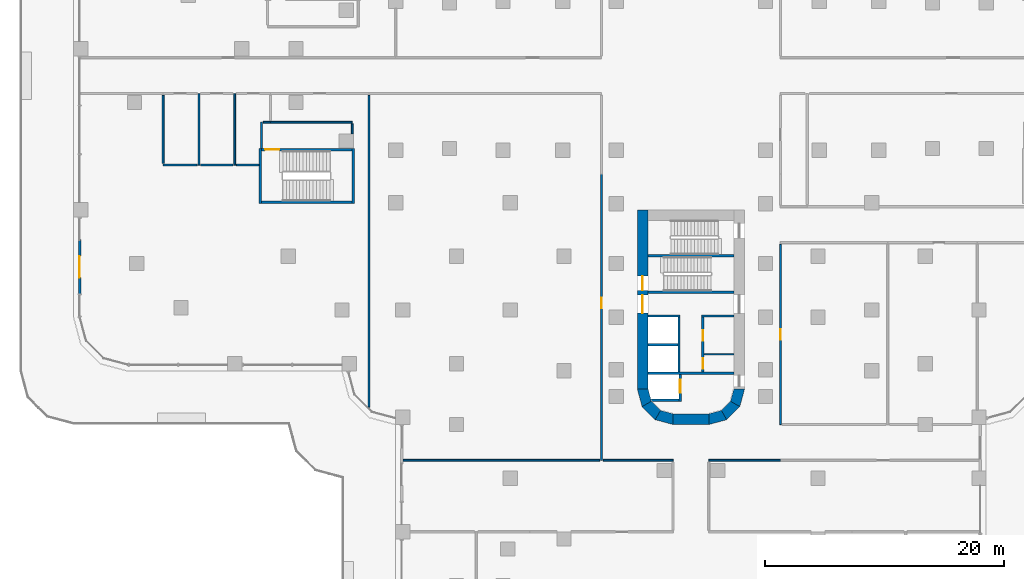
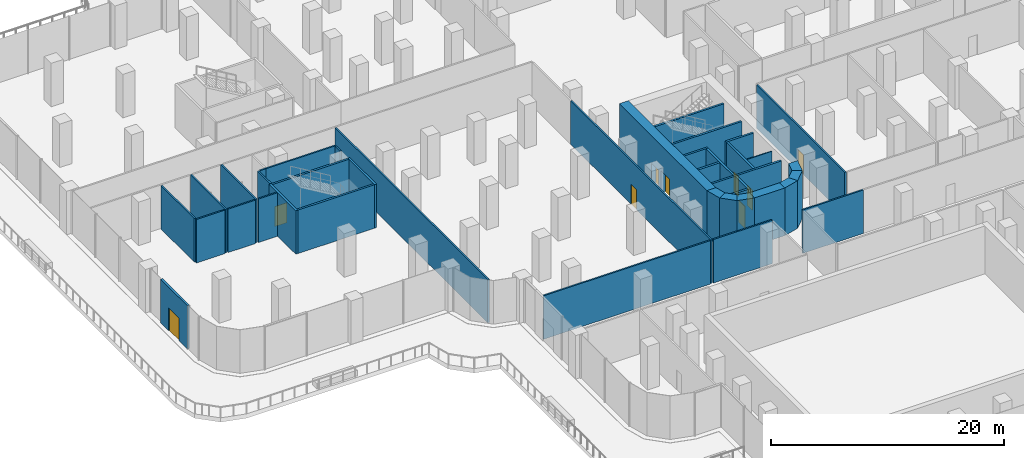
# One storey, part 17 of 30: 40 walls, 9 doors, 9 openings.
"""IFC4 building model written with IfcOpenShell, lengths in metres."""

from ifc_helpers import new_model, si_unit, direction, frame, frame_2d, origin, place, context, subcontext, project, spatial, polyline, rectangle, outline, extrude, material, layer, layer_set, type_object, element, fill, save


model = new_model("IFC4")

# Units and contexts
model_context = context("Model", 3, precision=1e-05, world=origin(), true_north=direction((0.0, 1.0)))
body_context = subcontext(model_context, "Body", "Model", "MODEL_VIEW")
ifc_project = project(units=[si_unit("LENGTHUNIT", "METRE"), si_unit("AREAUNIT", "SQUARE_METRE"), si_unit("VOLUMEUNIT", "CUBIC_METRE"), si_unit("PLANEANGLEUNIT", "RADIAN"), si_unit("MASSUNIT", "GRAM", prefix="KILO")], contexts=[model_context])

# Site, building, storey
site_placement = place(None, origin())
site = spatial("IfcSite", under=ifc_project, at=site_placement, CompositionType="ELEMENT")
building_placement = place(site_placement, origin())
building = spatial("IfcBuilding", under=site, at=building_placement, Name="Zarbagh Exchange Tower", CompositionType="ELEMENT")
storey_placement = place(building_placement, frame((0.0, 0.0, 7.0)))
storey = spatial("IfcBuildingStorey", under=building, at=storey_placement, Name="L01", CompositionType="ELEMENT", Elevation=7.0)

# Walls
ifc_material_1 = material(Name="Plasterboard partition")
ifc_layer_1 = layer(ifc_material_1, 0.14990234375)
ifc_layer_set_1 = layer_set([ifc_layer_1], Name="Board partition 150")
wall_type_1 = type_object("IfcWallType", Name="Board partition 150", PredefinedType="PARTITIONING", material=ifc_layer_set_1)
wall_1_placement = place(storey_placement, frame((-36.0, -6.10009765625, 0.0), z_axis=(0.0, 0.0, 1.0), x_axis=(0.0, 1.0, 0.0)))
element("IfcWall", 1, at=wall_1_placement, inside=storey, type_object=wall_type_1, Name="WL-L01-W007", PredefinedType="PARTITIONING", context=body_context, shape_type="SweptSolid", body=[
    extrude(rectangle(XDim=2.2001953125, YDim=0.14990234375, at=frame_2d((1.10009765625, 0.0))), origin(), (0.0, 0.0, 1.0), 4.550048828125),
])
wall_2_placement = place(storey_placement, frame((-35.85009765625, -3.89990234375, 0.0), z_axis=(0.0, 0.0, 1.0), x_axis=(1.0, 0.0, 0.0)))
element("IfcWall", 2, at=wall_2_placement, inside=storey, type_object=wall_type_1, Name="WL-L01-W008", PredefinedType="PARTITIONING", context=body_context, shape_type="SweptSolid", body=[
    extrude(rectangle(XDim=0.60009765625, YDim=0.14990234375, at=frame_2d((0.300048828125, 0.0))), origin(), (0.0, 0.0, 1.0), 4.550048828125),
])
wall_3_placement = place(storey_placement, frame((-35.25, -3.89990234375, 0.0), z_axis=(0.0, 0.0, 1.0), x_axis=(1.0, 0.0, 0.0)))
element("IfcWall", 3, at=wall_3_placement, inside=storey, type_object=wall_type_1, Name="WL-L01-W009", PredefinedType="PARTITIONING", context=body_context, shape_type="SweptSolid", body=[
    extrude(rectangle(XDim=6.85009765625, YDim=0.14990234375, at=frame_2d((3.425048828125, 0.0))), origin(), (0.0, 0.0, 1.0), 4.550048828125),
])
wall_4_placement = place(storey_placement, frame((-28.39990234375, -4.050048828125, 0.0), z_axis=(0.0, 0.0, 1.0), x_axis=(0.0, -1.0, 0.0)))
element("IfcWall", 4, at=wall_4_placement, inside=storey, type_object=wall_type_1, Name="WL-L01-W010", PredefinedType="PARTITIONING", context=body_context, shape_type="SweptSolid", body=[
    extrude(rectangle(XDim=0.824951171875, YDim=0.14990234375, at=frame_2d((0.41259765625, 0.0))), origin(), (0.0, 0.0, 1.0), 4.550048828125),
])

# Wall, opening, door
wall_5_placement = place(storey_placement, frame((7.5, -14.14990234375, 0.0), z_axis=(0.0, 0.0, 1.0), x_axis=(0.0, -1.0, 0.0)))
wall_5 = element("IfcWall", 5, at=wall_5_placement, inside=storey, type_object=wall_type_1, Name="WL-L01-W046", PredefinedType="PARTITIONING", context=body_context, shape_type="SweptSolid", body=[
    extrude(rectangle(XDim=15.10009765625, YDim=0.14990234375, at=frame_2d((7.550048828125, 0.0))), origin(), (0.0, 0.0, 1.0), 4.550048828125),
])
opening_1_placement = place(wall_5_placement, frame((7.10009765625, 0.0, 0.0)))
opening_1 = element("IfcOpeningElement", 6, at=opening_1_placement, cuts=wall_5, Name="Opening D09", PredefinedType="OPENING", context=body_context, shape_type="SweptSolid", body=[
    extrude(rectangle(XDim=0.89990234375, YDim=2.10009765625, at=frame_2d((0.449951171875, 1.050048828125))), frame((0.0, 0.0849609375, 0.0), z_axis=(0.0, -1.0, 0.0), x_axis=(1.0, 0.0, 0.0)), (0.0, 0.0, 1.0), 0.169921875),
])
ifc_material_2 = material(Name="Timber door leaf", Category="wood")
door_type_1 = type_object("IfcDoorType", Name="Door single 900x2100", OperationType="SINGLE_SWING_LEFT", PredefinedType="DOOR", material=ifc_material_2)
door_1_placement = place(opening_1_placement, origin())
door_1 = element("IfcDoor", 7, at=door_1_placement, inside=storey, type_object=door_type_1, Name="D09", OperationType="SINGLE_SWING_LEFT", OverallHeight=2.10009765625, OverallWidth=0.89990234375, PredefinedType="DOOR", context=body_context, shape_type="SweptSolid", body=[
    extrude(rectangle(XDim=0.89990234375, YDim=2.10009765625, at=frame_2d((0.449951171875, 1.050048828125))), frame((0.0, 0.02490234375, 0.0), z_axis=(0.0, -1.0, 0.0), x_axis=(1.0, 0.0, 0.0)), (0.0, 0.0, 1.0), 0.050048828125),
])
fill(opening_1, door_1)

# Walls
wall_6_placement = place(storey_placement, frame((-41.25, -1.5, 0.0), z_axis=(0.0, 0.0, 1.0), x_axis=(0.0, -1.0, 0.0)))
element("IfcWall", 8, at=wall_6_placement, inside=storey, type_object=wall_type_1, Name="WL-L01-W056", PredefinedType="PARTITIONING", context=body_context, shape_type="SweptSolid", body=[
    extrude(rectangle(XDim=6.0, YDim=0.14990234375, at=frame_2d((3.0, 0.0))), origin(), (0.0, 0.0, 1.0), 4.550048828125),
])
wall_7_placement = place(storey_placement, frame((-41.39990234375, -7.5, 0.0), z_axis=(0.0, 0.0, 1.0), x_axis=(-1.0, 0.0, 0.0)))
element("IfcWall", 9, at=wall_7_placement, inside=storey, type_object=wall_type_1, Name="WL-L01-W058", PredefinedType="PARTITIONING", context=body_context, shape_type="SweptSolid", body=[
    extrude(rectangle(XDim=2.85009765625, YDim=0.14990234375, at=frame_2d((1.425048828125, 0.0))), origin(), (0.0, 0.0, 1.0), 4.550048828125),
])
wall_8_placement = place(storey_placement, frame((-44.25, -7.35009765625, 0.0), z_axis=(0.0, 0.0, 1.0), x_axis=(0.0, 1.0, 0.0)))
element("IfcWall", 10, at=wall_8_placement, inside=storey, type_object=wall_type_1, Name="WL-L01-W059", PredefinedType="PARTITIONING", context=body_context, shape_type="SweptSolid", body=[
    extrude(rectangle(XDim=5.7001953125, YDim=0.14990234375, at=frame_2d((2.85009765625, 0.0))), origin(), (0.0, 0.0, 1.0), 4.550048828125),
])
wall_9_placement = place(storey_placement, frame((-38.25, -1.5, 0.0), z_axis=(0.0, 0.0, 1.0), x_axis=(0.0, -1.0, 0.0)))
element("IfcWall", 11, at=wall_9_placement, inside=storey, type_object=wall_type_1, Name="WL-L01-W060", PredefinedType="PARTITIONING", context=body_context, shape_type="SweptSolid", body=[
    extrude(rectangle(XDim=6.0, YDim=0.14990234375, at=frame_2d((3.0, 0.0))), origin(), (0.0, 0.0, 1.0), 4.550048828125),
])
wall_10_placement = place(storey_placement, frame((-38.39990234375, -7.5, 0.0), z_axis=(0.0, 0.0, 1.0), x_axis=(-1.0, 0.0, 0.0)))
element("IfcWall", 12, at=wall_10_placement, inside=storey, type_object=wall_type_1, Name="WL-L01-W062", PredefinedType="PARTITIONING", context=body_context, shape_type="SweptSolid", body=[
    extrude(rectangle(XDim=2.7001953125, YDim=0.14990234375, at=frame_2d((1.35009765625, 0.0))), origin(), (0.0, 0.0, 1.0), 4.550048828125),
])
wall_11_placement = place(storey_placement, frame((-36.199951171875, -7.5, 0.0), z_axis=(0.0, 0.0, 1.0), x_axis=(-1.0, 0.0, 0.0)))
element("IfcWall", 13, at=wall_11_placement, inside=storey, type_object=wall_type_1, Name="WL-L01-W064", PredefinedType="PARTITIONING", context=body_context, shape_type="SweptSolid", body=[
    extrude(rectangle(XDim=1.900146484375, YDim=0.14990234375, at=frame_2d((0.9501953125, 0.0))), origin(), (0.0, 0.0, 1.0), 4.550048828125),
])
wall_12_placement = place(storey_placement, frame((7.5, -32.25, 0.0), z_axis=(0.0, 0.0, 1.0), x_axis=(-1.0, 0.0, 0.0)))
element("IfcWall", 14, at=wall_12_placement, inside=storey, type_object=wall_type_1, Name="WL-L01-W068", PredefinedType="PARTITIONING", context=body_context, shape_type="SweptSolid", body=[
    extrude(rectangle(XDim=6.0, YDim=0.14990234375, at=frame_2d((3.0, 0.0))), origin(), (0.0, 0.0, 1.0), 4.550048828125),
])

# Wall, opening, door
wall_13_placement = place(storey_placement, frame((-7.5, -32.25, 0.0), z_axis=(0.0, 0.0, 1.0), x_axis=(0.0, 1.0, 0.0)))
wall_13 = element("IfcWall", 15, at=wall_13_placement, inside=storey, type_object=wall_type_1, Name="WL-L01-W069", PredefinedType="PARTITIONING", context=body_context, shape_type="SweptSolid", body=[
    extrude(rectangle(XDim=24.0, YDim=0.14990234375, at=frame_2d((12.0, 0.0))), origin(), (0.0, 0.0, 1.0), 4.550048828125),
])
opening_2_placement = place(wall_13_placement, frame((12.75, 0.0, 0.0)))
opening_2 = element("IfcOpeningElement", 16, at=opening_2_placement, cuts=wall_13, Name="Opening D15", PredefinedType="OPENING", context=body_context, shape_type="SweptSolid", body=[
    extrude(rectangle(XDim=0.89990234375, YDim=2.10009765625, at=frame_2d((0.449951171875, 1.050048828125))), frame((0.0, 0.0849609375, 0.0), z_axis=(0.0, -1.0, 0.0), x_axis=(1.0, 0.0, 0.0)), (0.0, 0.0, 1.0), 0.169921875),
])
door_2_placement = place(opening_2_placement, origin())
door_2 = element("IfcDoor", 17, at=door_2_placement, inside=storey, type_object=door_type_1, Name="D15", OperationType="SINGLE_SWING_LEFT", OverallHeight=2.10009765625, OverallWidth=0.89990234375, PredefinedType="DOOR", context=body_context, shape_type="SweptSolid", body=[
    extrude(rectangle(XDim=0.89990234375, YDim=2.10009765625, at=frame_2d((0.449951171875, 1.050048828125))), frame((0.0, 0.02490234375, 0.0), z_axis=(0.0, -1.0, 0.0), x_axis=(1.0, 0.0, 0.0)), (0.0, 0.0, 1.0), 0.050048828125),
])
fill(opening_2, door_2)

# Walls
wall_14_placement = place(storey_placement, frame((-1.5, -32.25, 0.0), z_axis=(0.0, 0.0, 1.0), x_axis=(-1.0, 0.0, 0.0)))
element("IfcWall", 18, at=wall_14_placement, inside=storey, type_object=wall_type_1, Name="WL-L01-W070", PredefinedType="PARTITIONING", context=body_context, shape_type="SweptSolid", body=[
    extrude(rectangle(XDim=5.85009765625, YDim=0.14990234375, at=frame_2d((2.925048828125, 0.0))), origin(), (0.0, 0.0, 1.0), 4.550048828125),
])
wall_15_placement = place(storey_placement, frame((-27.0, -27.797119140625, 0.0), z_axis=(0.0, 0.0, 1.0), x_axis=(0.0, 1.0, 0.0)))
element("IfcWall", 19, at=wall_15_placement, inside=storey, type_object=wall_type_1, Name="WL-L01-W097", PredefinedType="PARTITIONING", context=body_context, shape_type="SweptSolid", body=[
    extrude(rectangle(XDim=26.147216796875, YDim=0.14990234375, at=frame_2d((13.07373046875, 0.0))), origin(), (0.0, 0.0, 1.0), 4.550048828125),
])
wall_16_placement = place(storey_placement, frame((-7.64990234375, -32.25, 0.0), z_axis=(0.0, 0.0, 1.0), x_axis=(-1.0, 0.0, 0.0)))
element("IfcWall", 20, at=wall_16_placement, inside=storey, type_object=wall_type_1, Name="WL-L01-W098", PredefinedType="PARTITIONING", context=body_context, shape_type="SweptSolid", body=[
    extrude(rectangle(XDim=16.5, YDim=0.14990234375, at=frame_2d((8.25, 0.0))), origin(), (0.0, 0.0, 1.0), 4.550048828125),
])
ifc_material_3 = material(Name="Dense blockwork", Category="masonry")
ifc_layer_2 = layer(ifc_material_3, 0.10009765625)
ifc_layer_set_2 = layer_set([ifc_layer_2], Name="Core partition 100 mm blockwork")
wall_type_2 = type_object("IfcWallType", Name="Core partition 100 mm blockwork", PredefinedType="PARTITIONING", material=ifc_layer_set_2)
wall_17_placement = place(storey_placement, frame((3.60009765625, -23.35009765625, 0.0), z_axis=(0.0, 0.0, 1.0), x_axis=(-1.0, 0.0, 0.0)))
element("IfcWall", 21, at=wall_17_placement, inside=storey, type_object=wall_type_2, Name="South core partition wall CUT-W-500", PredefinedType="PARTITIONING", context=body_context, shape_type="SweptSolid", body=[
    extrude(rectangle(XDim=2.5, YDim=0.10009765625, at=frame_2d((1.25, 0.0))), origin(), (0.0, 0.0, 1.0), 4.550048828125),
])
ifc_material_4 = material(Name="Concrete C60/75", Category="concrete")
ifc_layer_3 = layer(ifc_material_4, 0.89990234375)
ifc_layer_set_3 = layer_set([ifc_layer_3], Name="RC core corner wall 900 C60/75")
wall_type_3 = type_object("IfcWallType", Name="RC core corner wall 900 C60/75", PredefinedType="SHEAR", material=ifc_layer_set_3)
wall_18_placement = place(storey_placement, origin())
element("IfcWall", 22, at=wall_18_placement, inside=storey, type_object=wall_type_3, Name="CW2 core S corner W", PredefinedType="SHEAR", context=body_context, shape_type="SweptSolid", body=[
    extrude(outline(polyline([(-4.5, -26.25), (-4.09814453125, -27.75), (-3.318603515625, -27.300048828125), (-3.60009765625, -26.25), (-4.5, -26.25)])), origin(), (0.0, 0.0, 1.0), 5.0),
])
wall_19_placement = place(storey_placement, origin())
element("IfcWall", 23, at=wall_19_placement, inside=storey, type_object=wall_type_3, Name="CW2 core S corner W", PredefinedType="SHEAR", context=body_context, shape_type="SweptSolid", body=[
    extrude(outline(polyline([(-4.09814453125, -27.75), (-3.0, -28.84814453125), (-2.550048828125, -28.068603515625), (-3.318603515625, -27.300048828125), (-4.09814453125, -27.75)])), origin(), (0.0, 0.0, 1.0), 5.0),
])
wall_20_placement = place(storey_placement, origin())
element("IfcWall", 24, at=wall_20_placement, inside=storey, type_object=wall_type_3, Name="CW2 core S corner W", PredefinedType="SHEAR", context=body_context, shape_type="SweptSolid", body=[
    extrude(outline(polyline([(-3.0, -28.84814453125), (-1.5, -29.25), (-1.5, -28.35009765625), (-2.550048828125, -28.068603515625), (-3.0, -28.84814453125)])), origin(), (0.0, 0.0, 1.0), 5.0),
])
wall_21_placement = place(storey_placement, origin())
element("IfcWall", 25, at=wall_21_placement, inside=storey, type_object=wall_type_3, Name="CW2 core S corner E", PredefinedType="SHEAR", context=body_context, shape_type="SweptSolid", body=[
    extrude(outline(polyline([(4.5, -26.25), (4.09814453125, -27.75), (3.318603515625, -27.300048828125), (3.60009765625, -26.25), (4.5, -26.25)])), origin(), (0.0, 0.0, 1.0), 5.0),
])
wall_22_placement = place(storey_placement, origin())
element("IfcWall", 26, at=wall_22_placement, inside=storey, type_object=wall_type_3, Name="CW2 core S corner E", PredefinedType="SHEAR", context=body_context, shape_type="SweptSolid", body=[
    extrude(outline(polyline([(4.09814453125, -27.75), (3.0, -28.84814453125), (2.550048828125, -28.068603515625), (3.318603515625, -27.300048828125), (4.09814453125, -27.75)])), origin(), (0.0, 0.0, 1.0), 5.0),
])
wall_23_placement = place(storey_placement, origin())
element("IfcWall", 27, at=wall_23_placement, inside=storey, type_object=wall_type_3, Name="CW2 core S corner E", PredefinedType="SHEAR", context=body_context, shape_type="SweptSolid", body=[
    extrude(outline(polyline([(3.0, -28.84814453125), (1.5, -29.25), (1.5, -28.35009765625), (2.550048828125, -28.068603515625), (3.0, -28.84814453125)])), origin(), (0.0, 0.0, 1.0), 5.0),
])

# Wall, openings, doors
ifc_layer_4 = layer(ifc_material_4, 0.89990234375)
ifc_layer_set_4 = layer_set([ifc_layer_4], Name="RC core wall 900 C60/75")
wall_type_4 = type_object("IfcWallType", Name="RC core wall 900 C60/75", PredefinedType="SHEAR", material=ifc_layer_set_4)
wall_24_placement = place(storey_placement, frame((-4.050048828125, -11.25, 0.0), z_axis=(0.0, 0.0, 1.0), x_axis=(0.0, -1.0, 0.0)))
wall_24 = element("IfcWall", 28, at=wall_24_placement, inside=storey, type_object=wall_type_4, Name="CW1 core S W", PredefinedType="SHEAR", context=body_context, shape_type="SweptSolid", body=[
    extrude(rectangle(XDim=15.0, YDim=0.89990234375, at=frame_2d((7.5, 0.0))), origin(), (0.0, 0.0, 1.0), 5.0),
])
opening_3_placement = place(wall_24_placement, frame((7.14990234375, 0.0, 0.0)))
opening_3 = element("IfcOpeningElement", 29, at=opening_3_placement, cuts=wall_24, Name="Opening CD1-1500", PredefinedType="OPENING", context=body_context, shape_type="SweptSolid", body=[
    extrude(rectangle(XDim=1.5, YDim=2.300048828125, at=frame_2d((0.75, 1.14990234375))), frame((0.0, 0.4599609375, 0.0), z_axis=(0.0, -1.0, 0.0), x_axis=(1.0, 0.0, 0.0)), (0.0, 0.0, 1.0), 0.919921875),
])
opening_4_placement = place(wall_24_placement, frame((5.550048828125, 0.0, 0.0)))
opening_4 = element("IfcOpeningElement", 30, at=opening_4_placement, cuts=wall_24, Name="Opening SD1-1200", PredefinedType="OPENING", context=body_context, shape_type="SweptSolid", body=[
    extrude(rectangle(XDim=1.199951171875, YDim=2.10009765625, at=frame_2d((0.60009765625, 1.050048828125))), frame((0.0, 0.4599609375, 0.0), z_axis=(0.0, -1.0, 0.0), x_axis=(1.0, 0.0, 0.0)), (0.0, 0.0, 1.0), 0.919921875),
])
ifc_material_5 = material(Name="Steel", Category="steel")
door_type_2 = type_object("IfcDoorType", Name="Exit stair door 1200 x 2100", OperationType="NOTDEFINED", PredefinedType="DOOR", material=ifc_material_5)
door_3_placement = place(opening_4_placement, origin())
door_3 = element("IfcDoor", 31, at=door_3_placement, inside=storey, type_object=door_type_2, Name="South core stair door ST1", OperationType="SINGLE_SWING_RIGHT", OverallHeight=2.10009765625, OverallWidth=1.199951171875, PredefinedType="DOOR", context=body_context, shape_type="SweptSolid", body=[
    extrude(rectangle(XDim=1.199951171875, YDim=2.10009765625, at=frame_2d((0.60009765625, 1.050048828125))), frame((0.0, 0.02490234375, 0.0), z_axis=(0.0, -1.0, 0.0), x_axis=(1.0, 0.0, 0.0)), (0.0, 0.0, 1.0), 0.050048828125),
])
fill(opening_4, door_3)
door_type_3 = type_object("IfcDoorType", Name="Lift lobby double door 1500 x 2300", OperationType="NOTDEFINED", PredefinedType="DOOR", material=ifc_material_5)
door_4_placement = place(opening_3_placement, origin())
door_4 = element("IfcDoor", 32, at=door_4_placement, inside=storey, type_object=door_type_3, Name="South core lift lobby door LOBBY-E", OperationType="DOUBLE_DOOR_SINGLE_SWING", OverallHeight=2.300048828125, OverallWidth=1.5, PredefinedType="DOOR", context=body_context, shape_type="SweptSolid", body=[
    extrude(rectangle(XDim=1.5, YDim=2.300048828125, at=frame_2d((0.75, 1.14990234375))), frame((0.0, 0.02490234375, 0.0), z_axis=(0.0, -1.0, 0.0), x_axis=(1.0, 0.0, 0.0)), (0.0, 0.0, 1.0), 0.050048828125),
])
fill(opening_3, door_4)

# Walls
wall_25_placement = place(storey_placement, frame((-1.5, -28.800048828125, 0.0), z_axis=(0.0, 0.0, 1.0), x_axis=(1.0, 0.0, 0.0)))
element("IfcWall", 33, at=wall_25_placement, inside=storey, type_object=wall_type_4, Name="CW1 core S outer end", PredefinedType="SHEAR", context=body_context, shape_type="SweptSolid", body=[
    extrude(rectangle(XDim=3.0, YDim=0.89990234375, at=frame_2d((1.5, 0.0))), origin(), (0.0, 0.0, 1.0), 5.0),
])
ifc_layer_5 = layer(ifc_material_3, 0.199951171875)
ifc_layer_set_5 = layer_set([ifc_layer_5], Name="Shaft wall 200 mm blockwork")
wall_type_5 = type_object("IfcWallType", Name="Shaft wall 200 mm blockwork", PredefinedType="PARTITIONING", material=ifc_layer_set_5)
wall_26_placement = place(storey_placement, frame((3.60009765625, -20.14990234375, 0.0), z_axis=(0.0, 0.0, 1.0), x_axis=(-1.0, 0.0, 0.0)))
element("IfcWall", 34, at=wall_26_placement, inside=storey, type_object=wall_type_5, Name="South core shaft wall AB-W", PredefinedType="PARTITIONING", context=body_context, shape_type="SweptSolid", body=[
    extrude(rectangle(XDim=2.7001953125, YDim=0.199951171875, at=frame_2d((1.35009765625, 0.0))), origin(), (0.0, 0.0, 1.0), 4.550048828125),
])

# Wall, openings, doors
wall_27_placement = place(storey_placement, frame((1.0, -24.85009765625, 0.0), z_axis=(0.0, 0.0, 1.0), x_axis=(0.0, 1.0, 0.0)))
wall_27 = element("IfcWall", 35, at=wall_27_placement, inside=storey, type_object=wall_type_5, Name="South core shaft wall LW-W", PredefinedType="PARTITIONING", context=body_context, shape_type="SweptSolid", body=[
    extrude(rectangle(XDim=4.60009765625, YDim=0.199951171875, at=frame_2d((2.300048828125, 0.0))), origin(), (0.0, 0.0, 1.0), 4.550048828125),
])
opening_5_placement = place(wall_27_placement, frame((0.27490234375, 0.0, 0.0)))
opening_5 = element("IfcOpeningElement", 36, at=opening_5_placement, cuts=wall_27, Name="Opening CD3-900", PredefinedType="OPENING", context=body_context, shape_type="SweptSolid", body=[
    extrude(rectangle(XDim=0.89990234375, YDim=2.10009765625, at=frame_2d((0.449951171875, 1.050048828125))), frame((0.0, 0.10986328125, 0.0), z_axis=(0.0, -1.0, 0.0), x_axis=(1.0, 0.0, 0.0)), (0.0, 0.0, 1.0), 0.219970703125),
])
opening_6_placement = place(wall_27_placement, frame((2.625, 0.0, 0.0)))
opening_6 = element("IfcOpeningElement", 37, at=opening_6_placement, cuts=wall_27, Name="Opening CD3-900", PredefinedType="OPENING", context=body_context, shape_type="SweptSolid", body=[
    extrude(rectangle(XDim=0.89990234375, YDim=2.10009765625, at=frame_2d((0.449951171875, 1.050048828125))), frame((0.0, 0.10986328125, 0.0), z_axis=(0.0, -1.0, 0.0), x_axis=(1.0, 0.0, 0.0)), (0.0, 0.0, 1.0), 0.219970703125),
])
door_type_4 = type_object("IfcDoorType", Name="Core room door 900 x 2100", OperationType="NOTDEFINED", PredefinedType="DOOR", material=ifc_material_5)
door_5_placement = place(opening_5_placement, origin())
door_5 = element("IfcDoor", 38, at=door_5_placement, inside=storey, type_object=door_type_4, Name="South core Cleaner's store door RD-W-0", OperationType="SINGLE_SWING_RIGHT", OverallHeight=2.10009765625, OverallWidth=0.89990234375, PredefinedType="DOOR", context=body_context, shape_type="SweptSolid", body=[
    extrude(rectangle(XDim=0.89990234375, YDim=2.10009765625, at=frame_2d((0.449951171875, 1.050048828125))), frame((0.0, 0.02490234375, 0.0), z_axis=(0.0, -1.0, 0.0), x_axis=(1.0, 0.0, 0.0)), (0.0, 0.0, 1.0), 0.050048828125),
])
fill(opening_5, door_5)
door_6_placement = place(opening_6_placement, origin())
door_6 = element("IfcDoor", 39, at=door_6_placement, inside=storey, type_object=door_type_4, Name="South core Accessible WC door RD-W-1", OperationType="SINGLE_SWING_LEFT", OverallHeight=2.10009765625, OverallWidth=0.89990234375, PredefinedType="DOOR", context=body_context, shape_type="SweptSolid", body=[
    extrude(rectangle(XDim=0.89990234375, YDim=2.10009765625, at=frame_2d((0.449951171875, 1.050048828125))), frame((0.0, 0.02490234375, 0.0), z_axis=(0.0, -1.0, 0.0), x_axis=(1.0, 0.0, 0.0)), (0.0, 0.0, 1.0), 0.050048828125),
])
fill(opening_6, door_6)

# Walls
wall_28_placement = place(storey_placement, frame((-0.89990234375, -20.14990234375, 0.0), z_axis=(0.0, 0.0, 1.0), x_axis=(-1.0, 0.0, 0.0)))
element("IfcWall", 40, at=wall_28_placement, inside=storey, type_object=wall_type_5, Name="South core shaft wall AB-E", PredefinedType="PARTITIONING", context=body_context, shape_type="SweptSolid", body=[
    extrude(rectangle(XDim=2.7001953125, YDim=0.199951171875, at=frame_2d((1.35009765625, 0.0))), origin(), (0.0, 0.0, 1.0), 4.550048828125),
])
wall_29_placement = place(storey_placement, frame((-1.0, -24.85009765625, 0.0), z_axis=(0.0, 0.0, 1.0), x_axis=(0.0, 1.0, 0.0)))
element("IfcWall", 41, at=wall_29_placement, inside=storey, type_object=wall_type_5, Name="South core shaft wall LW-E", PredefinedType="PARTITIONING", context=body_context, shape_type="SweptSolid", body=[
    extrude(rectangle(XDim=4.60009765625, YDim=0.199951171875, at=frame_2d((2.300048828125, 0.0))), origin(), (0.0, 0.0, 1.0), 4.550048828125),
])
wall_30_placement = place(storey_placement, frame((-1.10009765625, -22.550048828125, 0.0), z_axis=(0.0, 0.0, 1.0), x_axis=(-1.0, 0.0, 0.0)))
element("IfcWall", 42, at=wall_30_placement, inside=storey, type_object=wall_type_5, Name="South core shaft wall TR-E", PredefinedType="PARTITIONING", context=body_context, shape_type="SweptSolid", body=[
    extrude(rectangle(XDim=2.5, YDim=0.199951171875, at=frame_2d((1.25, 0.0))), origin(), (0.0, 0.0, 1.0), 4.550048828125),
])
ifc_material_6 = material(Name="Concrete C40/50", Category="concrete")
ifc_layer_6 = layer(ifc_material_6, 0.199951171875)
ifc_layer_set_6 = layer_set([ifc_layer_6], Name="Stair enclosure wall 200 mm RC C40/50")
wall_type_6 = type_object("IfcWallType", Name="Stair enclosure wall 200 mm RC C40/50", PredefinedType="SHEAR", material=ifc_layer_set_6)
wall_31_placement = place(storey_placement, frame((3.60009765625, -24.949951171875, 0.0), z_axis=(0.0, 0.0, 1.0), x_axis=(-1.0, 0.0, 0.0)))
element("IfcWall", 43, at=wall_31_placement, inside=storey, type_object=wall_type_6, Name="South core lift shaft wall FFA", PredefinedType="SHEAR", context=body_context, shape_type="SweptSolid", body=[
    extrude(rectangle(XDim=7.2001953125, YDim=0.199951171875, at=frame_2d((3.60009765625, 0.0))), origin(), (0.0, 0.0, 1.0), 4.550048828125),
])

# Wall, opening, door
wall_32_placement = place(storey_placement, frame((-0.89990234375, -27.300048828125, 0.0), z_axis=(0.0, 0.0, 1.0), x_axis=(0.0, 1.0, 0.0)))
wall_32 = element("IfcWall", 44, at=wall_32_placement, inside=storey, type_object=wall_type_6, Name="South core lift shaft wall FFL", PredefinedType="SHEAR", context=body_context, shape_type="SweptSolid", body=[
    extrude(rectangle(XDim=2.25, YDim=0.199951171875, at=frame_2d((1.125, 0.0))), origin(), (0.0, 0.0, 1.0), 4.550048828125),
])
opening_7_placement = place(wall_32_placement, frame((0.699951171875, 0.0, 0.0)))
opening_7 = element("IfcOpeningElement", 45, at=opening_7_placement, cuts=wall_32, Name="Opening LD-1100", PredefinedType="OPENING", context=body_context, shape_type="SweptSolid", body=[
    extrude(rectangle(XDim=1.10009765625, YDim=2.300048828125, at=frame_2d((0.550048828125, 1.14990234375))), frame((0.0, 0.10986328125, 0.0), z_axis=(0.0, -1.0, 0.0), x_axis=(1.0, 0.0, 0.0)), (0.0, 0.0, 1.0), 0.219970703125),
])
ifc_material_7 = material(Name="Stainless steel", Category="steel")
door_type_5 = type_object("IfcDoorType", Name="Lift landing door 1100 x 2300", OperationType="NOTDEFINED", PredefinedType="DOOR", material=ifc_material_7)
door_7_placement = place(opening_7_placement, origin())
door_7 = element("IfcDoor", 46, at=door_7_placement, inside=storey, type_object=door_type_5, Name="South core lift landing door LD-F", OperationType="DOUBLE_DOOR_SLIDING", OverallHeight=2.300048828125, OverallWidth=1.10009765625, PredefinedType="DOOR", context=body_context, shape_type="SweptSolid", body=[
    extrude(rectangle(XDim=1.10009765625, YDim=2.300048828125, at=frame_2d((0.550048828125, 1.14990234375))), frame((0.0, 0.02490234375, 0.0), z_axis=(0.0, -1.0, 0.0), x_axis=(1.0, 0.0, 0.0)), (0.0, 0.0, 1.0), 0.050048828125),
])
fill(opening_7, door_7)

# Walls
wall_33_placement = place(storey_placement, origin())
element("IfcWall", 47, at=wall_33_placement, inside=storey, type_object=wall_type_6, Name="South core lift shaft wall FFX", PredefinedType="SHEAR", context=body_context, shape_type="SweptSolid", body=[
    extrude(outline(polyline([(-1.0, -27.10009765625), (-3.340576171875, -27.10009765625), (-3.291259765625, -27.2841796875), (-3.275390625, -27.300048828125), (-1.0, -27.300048828125), (-1.0, -27.10009765625)])), origin(), (0.0, 0.0, 1.0), 4.550048828125),
])
for number, where, z_axis, x_axis, name in (
    (48, (3.60009765625, -18.14990234375, 0.0), (0.0, 0.0, 1.0), (-1.0, 0.0, 0.0), "South core stair wall BS"),
    (49, (3.60009765625, -15.10009765625, 0.0), (0.0, 0.0, 1.0), (-1.0, 0.0, 0.0), "South core stair wall ST12"),
):
    element("IfcWall", number, at=place(storey_placement, frame(where, z_axis=z_axis, x_axis=x_axis)), inside=storey, type_object=wall_type_6, Name=name, PredefinedType="SHEAR", context=body_context, shape_type="SweptSolid", body=[
        extrude(rectangle(XDim=7.2001953125, YDim=0.199951171875, at=frame_2d((3.60009765625, 0.0))), origin(), (0.0, 0.0, 1.0), 4.550048828125),
    ])
for number, where, z_axis, x_axis, name in (
    (50, (-36.10009765625, -10.699951171875, 0.0), (0.0, 0.0, 1.0), (0.0, 1.0, 0.0), "Exit stair PS4 enclosure wall W"),
    (51, (-28.300048828125, -10.699951171875, 0.0), (0.0, 0.0, 1.0), (0.0, 1.0, 0.0), "Exit stair PS4 enclosure wall E"),
):
    element("IfcWall", number, at=place(storey_placement, frame(where, z_axis=z_axis, x_axis=x_axis)), inside=storey, type_object=wall_type_6, Name=name, PredefinedType="SHEAR", context=body_context, shape_type="SweptSolid", body=[
        extrude(rectangle(XDim=4.599853515625, YDim=0.199951171875, at=frame_2d((2.2998046875, 0.0))), origin(), (0.0, 0.0, 1.0), 4.550048828125),
    ])
wall_34_placement = place(storey_placement, frame((-36.0, -10.60009765625, 0.0), z_axis=(0.0, 0.0, 1.0), x_axis=(1.0, 0.0, 0.0)))
element("IfcWall", 52, at=wall_34_placement, inside=storey, type_object=wall_type_6, Name="Exit stair PS4 enclosure wall S", PredefinedType="SHEAR", context=body_context, shape_type="SweptSolid", body=[
    extrude(rectangle(XDim=7.60009765625, YDim=0.199951171875, at=frame_2d((3.800048828125, 0.0))), origin(), (0.0, 0.0, 1.0), 4.550048828125),
])

# Wall, opening, door
wall_35_placement = place(storey_placement, frame((-36.0, -6.199951171875, 0.0), z_axis=(0.0, 0.0, 1.0), x_axis=(1.0, 0.0, 0.0)))
wall_35 = element("IfcWall", 53, at=wall_35_placement, inside=storey, type_object=wall_type_6, Name="Exit stair PS4 enclosure wall N", PredefinedType="SHEAR", context=body_context, shape_type="SweptSolid", body=[
    extrude(rectangle(XDim=7.60009765625, YDim=0.199951171875, at=frame_2d((3.800048828125, 0.0))), origin(), (0.0, 0.0, 1.0), 4.550048828125),
])
opening_8_placement = place(wall_35_placement, frame((0.300048828125, 0.0, 0.0)))
opening_8 = element("IfcOpeningElement", 54, at=opening_8_placement, cuts=wall_35, Name="Opening SD1-1200", PredefinedType="OPENING", context=body_context, shape_type="SweptSolid", body=[
    extrude(rectangle(XDim=1.199951171875, YDim=2.10009765625, at=frame_2d((0.60009765625, 1.050048828125))), frame((0.0, 0.10986328125, 0.0), z_axis=(0.0, -1.0, 0.0), x_axis=(1.0, 0.0, 0.0)), (0.0, 0.0, 1.0), 0.219970703125),
])
door_8_placement = place(opening_8_placement, origin())
door_8 = element("IfcDoor", 55, at=door_8_placement, inside=storey, type_object=door_type_2, Name="Exit stair PS4 entry door", OperationType="SINGLE_SWING_RIGHT", OverallHeight=2.10009765625, OverallWidth=1.199951171875, PredefinedType="DOOR", context=body_context, shape_type="SweptSolid", body=[
    extrude(rectangle(XDim=1.199951171875, YDim=2.10009765625, at=frame_2d((0.60009765625, 1.050048828125))), frame((0.0, 0.02490234375, 0.0), z_axis=(0.0, -1.0, 0.0), x_axis=(1.0, 0.0, 0.0)), (0.0, 0.0, 1.0), 0.050048828125),
])
fill(opening_8, door_8)

ifc_material_8 = material(Name="Precast concrete C50/60", Category="concrete")
ifc_layer_7 = layer(ifc_material_8, 0.199951171875)
ifc_layer_set_7 = layer_set([ifc_layer_7], Name="Terrace door wall, precast concrete C50/60")
wall_type_7 = type_object("IfcWallType", Name="Terrace door wall, precast concrete C50/60", PredefinedType="SOLIDWALL", material=ifc_layer_set_7)
wall_36_placement = place(storey_placement, frame((-51.25, -13.7470703125, 0.0), z_axis=(0.0, 0.0, 1.0), x_axis=(0.0, -1.0, 0.0)))
wall_36 = element("IfcWall", 56, at=wall_36_placement, inside=storey, type_object=wall_type_7, Name="TW07 door wall", PredefinedType="SOLIDWALL", context=body_context, shape_type="SweptSolid", body=[
    extrude(rectangle(XDim=4.580078125, YDim=0.199951171875, at=frame_2d((2.2900390625, 0.0))), origin(), (0.0, 0.0, 1.0), 4.550048828125),
])
opening_9_placement = place(wall_36_placement, frame((1.389892578125, 0.0, 0.0)))
opening_9 = element("IfcOpeningElement", 57, at=opening_9_placement, cuts=wall_36, Name="Opening TD03", PredefinedType="OPENING", context=body_context, shape_type="SweptSolid", body=[
    extrude(rectangle(XDim=1.800048828125, YDim=2.39990234375, at=frame_2d((0.89990234375, 1.199951171875))), frame((0.0, 0.10986328125, 0.0), z_axis=(0.0, -1.0, 0.0), x_axis=(1.0, 0.0, 0.0)), (0.0, 0.0, 1.0), 0.219970703125),
])
ifc_material_9 = material(Name="Anodised aluminium and glass", Category="aluminium")
door_type_6 = type_object("IfcDoorType", Name="Terrace door, double leaf, aluminium and glass", OperationType="DOUBLE_DOOR_DOUBLE_SWING", PredefinedType="DOOR", material=ifc_material_9)
door_9_placement = place(opening_9_placement, origin())
door_9 = element("IfcDoor", 58, at=door_9_placement, inside=storey, type_object=door_type_6, Name="TD03 terrace door", OperationType="SINGLE_SWING_LEFT", OverallHeight=2.39990234375, OverallWidth=1.800048828125, PredefinedType="DOOR", context=body_context, shape_type="SweptSolid", body=[
    extrude(rectangle(XDim=1.800048828125, YDim=2.39990234375, at=frame_2d((0.89990234375, 1.199951171875))), frame((0.0, 0.02490234375, 0.0), z_axis=(0.0, -1.0, 0.0), x_axis=(1.0, 0.0, 0.0)), (0.0, 0.0, 1.0), 0.050048828125),
])
fill(opening_9, door_9)

save(model, "model.ifc")
